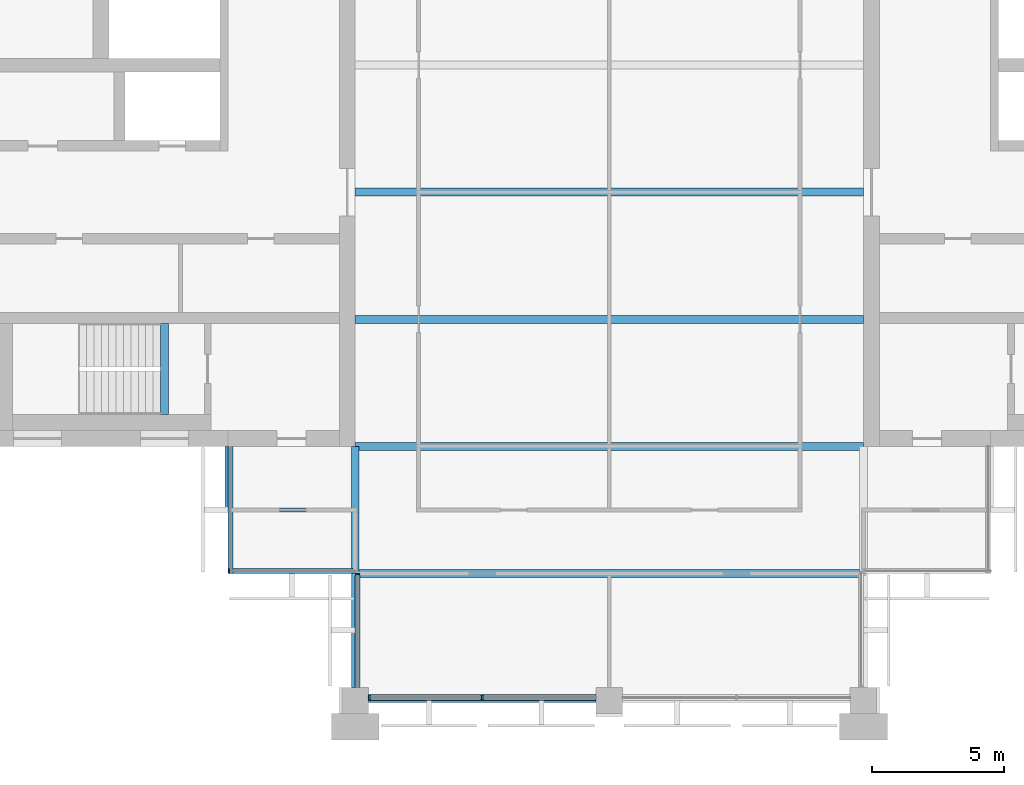
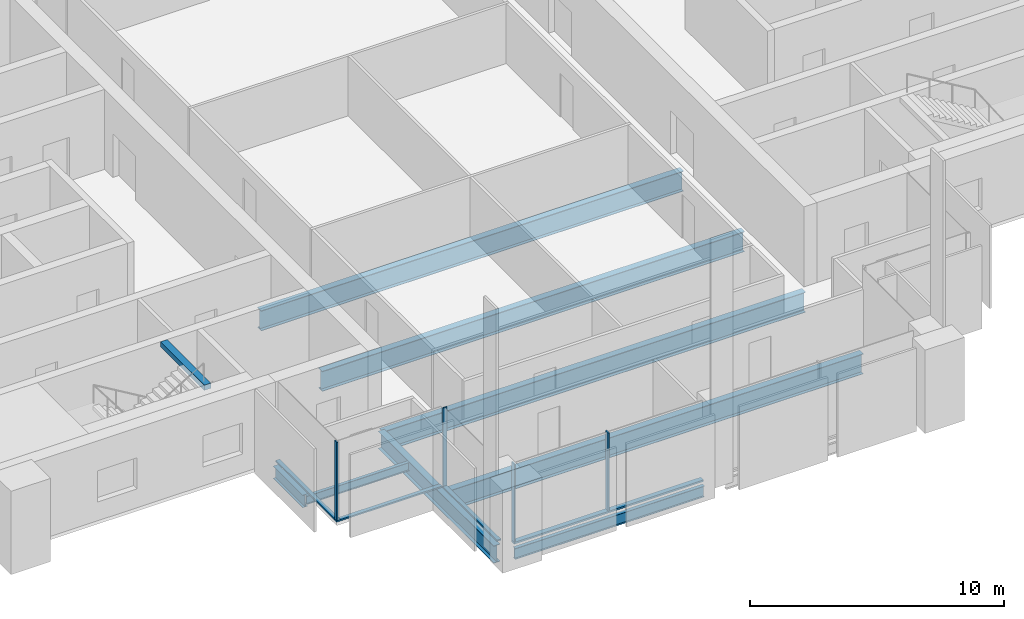
# One storey, part 2 of 13: 9 beams, 8 members, 4 elements without a shape of their own.
"""IFC4 building model written with IfcOpenShell, lengths in metres."""

from ifc_helpers import new_model, si_unit, direction, frame, origin, origin_2d, place, context, subcontext, project, spatial, rectangle, i_section, extrude, material, material_profile, profile_set, type_object, element, aggregate, save


model = new_model("IFC4")

# Units and contexts
model_context = context("Model", 3, precision=1e-05, world=origin(), true_north=direction((0.0, 1.0)))
body_context = subcontext(model_context, "Body", "Model", "MODEL_VIEW")
ifc_project = project(units=[si_unit("LENGTHUNIT", "METRE"), si_unit("AREAUNIT", "SQUARE_METRE"), si_unit("VOLUMEUNIT", "CUBIC_METRE"), si_unit("PLANEANGLEUNIT", "RADIAN"), si_unit("MASSUNIT", "GRAM", prefix="KILO")], contexts=[model_context])

# Site, building, storey
site_placement = place(None, origin())
site = spatial("IfcSite", under=ifc_project, at=site_placement, CompositionType="ELEMENT")
building_placement = place(site_placement, origin())
building = spatial("IfcBuilding", under=site, at=building_placement, Name="Baori Bourse Tower", CompositionType="ELEMENT")
storey_placement = place(building_placement, frame((0.0, 0.0, 294.300048828125)))
storey = spatial("IfcBuildingStorey", under=building, at=storey_placement, Name="L64", CompositionType="ELEMENT", Elevation=294.300048828125)

# Curtain wall, member
ifc_material_1 = material(Name="Pale anodised aluminium", Category="aluminium")
curtain_wall_type_1 = type_object("IfcCurtainWallType", Name="CW2 Curtain wall", PredefinedType="NOTDEFINED", material=ifc_material_1)
curtain_wall_1_placement = place(storey_placement, origin())
curtain_wall_1 = element("IfcCurtainWall", 1, at=curtain_wall_1_placement, inside=storey, type_object=curtain_wall_type_1, Name="Curtain wall CW2 L64 9", PredefinedType="NOTDEFINED")
ifc_material_2 = material(Name="Pale anodised aluminium", Category="aluminium")
ifc_material_profile_1 = material_profile(ifc_material_2, rectangle(XDim=0.179931640625, YDim=0.054931640625, at=origin_2d()), Name="Mullion 55x180")
ifc_profile_set_1 = profile_set([ifc_material_profile_1], Name="Pale anodised aluminium")
member_type_1 = type_object("IfcMemberType", Name="CW2 Curtain wall mullion", PredefinedType="MULLION", material=ifc_profile_set_1)
member_1_placement = place(storey_placement, frame((14.427490234375, 4.889892578125, 0.070068359375), z_axis=(0.0, 0.0, 1.0), x_axis=(0.0, 1.0, 0.0)))
member_1 = element("IfcMember", 2, at=member_1_placement, type_object=member_type_1, Name="Curtain wall CW2 mullion", PredefinedType="MULLION", context=body_context, shape_type="SweptSolid", body=[
    extrude(rectangle(XDim=0.179931640625, YDim=0.054931640625, at=origin_2d()), origin(), (0.0, 0.0, 1.0), 3.769775390625),
])

curtain_wall_2_placement = place(storey_placement, origin())
curtain_wall_2 = element("IfcCurtainWall", 3, at=curtain_wall_2_placement, inside=storey, type_object=curtain_wall_type_1, Name="Curtain wall CW2 L64 10", PredefinedType="NOTDEFINED")
member_2_placement = place(storey_placement, frame((19.2900390625, 4.7724609375, 0.070068359375), z_axis=(0.0, 0.0, 1.0), x_axis=(1.0, 0.0, 0.0)))
member_2 = element("IfcMember", 4, at=member_2_placement, type_object=member_type_1, Name="Curtain wall CW2 mullion", PredefinedType="MULLION", context=body_context, shape_type="SweptSolid", body=[
    extrude(rectangle(XDim=0.179931640625, YDim=0.054931640625, at=origin_2d()), origin(), (0.0, 0.0, 1.0), 3.769775390625),
])

curtain_wall_3_placement = place(storey_placement, origin())
curtain_wall_3 = element("IfcCurtainWall", 5, at=curtain_wall_3_placement, inside=storey, type_object=curtain_wall_type_1, Name="Curtain wall CW2 L64 8", PredefinedType="NOTDEFINED")
ifc_material_3 = material(Name="Pale anodised aluminium", Category="aluminium")
ifc_material_profile_2 = material_profile(ifc_material_3, rectangle(XDim=0.179931640625, YDim=0.070068359375, at=origin_2d()), Name="Transom 70x180")
ifc_profile_set_2 = profile_set([ifc_material_profile_2], Name="Pale anodised aluminium")
member_type_2 = type_object("IfcMemberType", Name="CW2 Curtain wall transom", PredefinedType="USERDEFINED", material=ifc_profile_set_2)
member_3_placement = place(storey_placement, frame((14.489990234375, 9.60009765625, 0.034912109375), z_axis=(0.0, -1.0, 0.0), x_axis=(1.0, 0.0, 0.0)))
member_3 = element("IfcMember", 6, at=member_3_placement, type_object=member_type_2, Name="Curtain wall CW2 sill rail", ObjectType="TRANSOM", PredefinedType="USERDEFINED", context=body_context, shape_type="SweptSolid", body=[
    extrude(rectangle(XDim=0.179931640625, YDim=0.070068359375, at=origin_2d()), origin(), (0.0, 0.0, 1.0), 4.800048828125),
])
aggregate(curtain_wall_3, [member_3])

# Member
member_4_placement = place(storey_placement, frame((14.39990234375, 4.889892578125, 0.034912109375), z_axis=(1.0, 0.0, 0.0), x_axis=(0.0, 1.0, 0.0)))
member_4 = element("IfcMember", 7, at=member_4_placement, type_object=member_type_2, Name="Curtain wall CW2 sill rail", ObjectType="TRANSOM", PredefinedType="USERDEFINED", context=body_context, shape_type="SweptSolid", body=[
    extrude(rectangle(XDim=0.179931640625, YDim=0.070068359375, at=origin_2d()), origin(), (0.0, 0.0, 1.0), 4.800048828125),
])

aggregate(curtain_wall_1, [member_4, member_1])

member_5_placement = place(storey_placement, frame((19.2900390625, 4.800048828125, 0.034912109375), z_axis=(0.0, -1.0, 0.0), x_axis=(1.0, 0.0, 0.0)))
member_5 = element("IfcMember", 8, at=member_5_placement, type_object=member_type_2, Name="Curtain wall CW2 sill rail", ObjectType="TRANSOM", PredefinedType="USERDEFINED", context=body_context, shape_type="SweptSolid", body=[
    extrude(rectangle(XDim=0.179931640625, YDim=0.070068359375, at=origin_2d()), origin(), (0.0, 0.0, 1.0), 4.300048828125),
])

aggregate(curtain_wall_2, [member_5, member_2])

# Curtain wall, members
ifc_material_4 = material(Name="Pale anodised aluminium", Category="aluminium")
curtain_wall_type_2 = type_object("IfcCurtainWallType", Name="CW5 Curtain wall", PredefinedType="NOTDEFINED", material=ifc_material_4)
curtain_wall_4_placement = place(storey_placement, origin())
curtain_wall_4 = element("IfcCurtainWall", 9, at=curtain_wall_4_placement, inside=storey, type_object=curtain_wall_type_2, Name="Curtain wall CW5 L64 11", PredefinedType="NOTDEFINED")
ifc_material_5 = material(Name="Pale anodised aluminium", Category="aluminium")
ifc_material_profile_3 = material_profile(ifc_material_5, rectangle(XDim=0.219970703125, YDim=0.06494140625, at=origin_2d()), Name="Mullion 65x220")
ifc_profile_set_3 = profile_set([ifc_material_profile_3], Name="Pale anodised aluminium")
member_type_3 = type_object("IfcMemberType", Name="CW5 Curtain wall mullion", PredefinedType="MULLION", material=ifc_profile_set_3)
member_6_placement = place(storey_placement, frame((19.732421875, 0.110107421875, 0.0849609375), z_axis=(0.0, 0.0, 1.0), x_axis=(0.0, 1.0, 0.0)))
member_6 = element("IfcMember", 10, at=member_6_placement, type_object=member_type_3, Name="Curtain wall CW5 mullion", PredefinedType="MULLION", context=body_context, shape_type="SweptSolid", body=[
    extrude(rectangle(XDim=0.219970703125, YDim=0.06494140625, at=origin_2d()), origin(), (0.0, 0.0, 1.0), 3.7548828125),
])
member_7_placement = place(storey_placement, frame((24.0, 0.110107421875, 0.0849609375), z_axis=(0.0, 0.0, 1.0), x_axis=(0.0, 1.0, 0.0)))
member_7 = element("IfcMember", 11, at=member_7_placement, type_object=member_type_3, Name="Curtain wall CW5 mullion", PredefinedType="MULLION", context=body_context, shape_type="SweptSolid", body=[
    extrude(rectangle(XDim=0.219970703125, YDim=0.06494140625, at=origin_2d()), origin(), (0.0, 0.0, 1.0), 3.7548828125),
])
ifc_material_6 = material(Name="Pale anodised aluminium", Category="aluminium")
ifc_material_profile_4 = material_profile(ifc_material_6, rectangle(XDim=0.219970703125, YDim=0.0849609375, at=origin_2d()), Name="Transom 85x220")
ifc_profile_set_4 = profile_set([ifc_material_profile_4], Name="Pale anodised aluminium")
member_type_4 = type_object("IfcMemberType", Name="CW5 Curtain wall transom", PredefinedType="USERDEFINED", material=ifc_profile_set_4)
member_8_placement = place(storey_placement, frame((19.699951171875, 0.110107421875, 0.04248046875), z_axis=(1.0, 0.0, 0.0), x_axis=(0.0, 1.0, 0.0)))
member_8 = element("IfcMember", 12, at=member_8_placement, type_object=member_type_4, Name="Curtain wall CW5 sill rail", ObjectType="TRANSOM", PredefinedType="USERDEFINED", context=body_context, shape_type="SweptSolid", body=[
    extrude(rectangle(XDim=0.219970703125, YDim=0.0849609375, at=origin_2d()), origin(), (0.0, 0.0, 1.0), 8.60009765625),
])
aggregate(curtain_wall_4, [member_8, member_6, member_7])

# Beams
ifc_material_7 = material(Name="Steel A992 Gr 50", Category="steel")
ifc_material_profile_5 = material_profile(ifc_material_7, i_section(OverallWidth=0.227783203125, OverallDepth=0.60205078125, WebThickness=0.010498046875, FlangeThickness=0.014892578125, at=origin_2d()), Name="W24x68")
ifc_profile_set_5 = profile_set([ifc_material_profile_5], Name="Steel A992 Gr 50")
beam_type_1 = type_object("IfcBeamType", Name="Core bracket W24x68", PredefinedType="BEAM", material=ifc_profile_set_5)
beam_1_placement = place(storey_placement, frame((14.39990234375, 7.270263671875, -0.4609375), z_axis=(0.0, 1.0, 0.0), x_axis=(-1.0, 0.0, 0.0)))
element("IfcBeam", 13, at=beam_1_placement, inside=storey, type_object=beam_type_1, Name="Core bracket L64", PredefinedType="BEAM", context=body_context, shape_type="SweptSolid", body=[
    extrude(i_section(OverallWidth=0.227783203125, OverallDepth=0.60205078125, WebThickness=0.010498046875, FlangeThickness=0.014892578125, at=origin_2d()), origin(), (0.0, 0.0, 1.0), 2.329833984375),
])
ifc_material_8 = material(Name="Steel A992 Gr 50", Category="steel")
ifc_material_profile_6 = material_profile(ifc_material_8, i_section(OverallWidth=0.1650390625, OverallDepth=0.52587890625, WebThickness=0.0087890625, FlangeThickness=0.011474609375, at=origin_2d()), Name="W21x44")
ifc_profile_set_6 = profile_set([ifc_material_profile_6], Name="Steel A992 Gr 50")
beam_type_2 = type_object("IfcBeamType", Name="Edge beam W21x44", PredefinedType="BEAM", material=ifc_profile_set_6)
beam_2_placement = place(storey_placement, frame((19.699951171875, 0.0, -0.4228515625), z_axis=(1.0, 0.0, 0.0), x_axis=(0.0, 1.0, 0.0)))
element("IfcBeam", 14, at=beam_2_placement, inside=storey, type_object=beam_type_2, Name="Edge beam L64", PredefinedType="BEAM", context=body_context, shape_type="SweptSolid", body=[
    extrude(i_section(OverallWidth=0.1650390625, OverallDepth=0.52587890625, WebThickness=0.0087890625, FlangeThickness=0.011474609375, at=origin_2d()), origin(), (0.0, 0.0, 1.0), 8.60009765625),
])
ifc_material_9 = material(Name="Steel A992 Gr 50", Category="steel")
ifc_material_profile_7 = material_profile(ifc_material_9, i_section(OverallWidth=0.2998046875, OverallDepth=0.97021484375, WebThickness=0.01611328125, FlangeThickness=0.02099609375, at=origin_2d()), Name="W40x149")
ifc_profile_set_7 = profile_set([ifc_material_profile_7], Name="Steel A992 Gr 50")
beam_type_3 = type_object("IfcBeamType", Name="Floor beam W40x149", PredefinedType="BEAM", material=ifc_profile_set_7)
beam_3_placement = place(storey_placement, frame((19.345947265625, 4.800048828125, -0.645263671875), z_axis=(1.0, 0.0, 0.0), x_axis=(0.0, 1.0, 0.0)))
element("IfcBeam", 15, at=beam_3_placement, inside=storey, type_object=beam_type_3, Name="Floor beam L64", PredefinedType="BEAM", context=body_context, shape_type="SweptSolid", body=[
    extrude(i_section(OverallWidth=0.2998046875, OverallDepth=0.97021484375, WebThickness=0.01611328125, FlangeThickness=0.02099609375, at=origin_2d()), origin(), (0.0, 0.0, 1.0), 18.907958984375),
])
for number, where, z_axis, x_axis, name in (
    (16, (19.199951171875, 9.60009765625, -0.645263671875), (1.0, 0.0, 0.0), (0.0, 1.0, 0.0), "Floor beam L64"),
    (17, (19.199951171875, 14.39990234375, -0.645263671875), (1.0, 0.0, 0.0), (0.0, 1.0, 0.0), "Floor beam L64"),
    (18, (19.199951171875, 19.199951171875, -0.645263671875), (1.0, 0.0, 0.0), (0.0, 1.0, 0.0), "Floor beam L64"),
):
    element("IfcBeam", number, at=place(storey_placement, frame(where, z_axis=z_axis, x_axis=x_axis)), inside=storey, type_object=beam_type_3, Name=name, PredefinedType="BEAM", context=body_context, shape_type="SweptSolid", body=[
        extrude(i_section(OverallWidth=0.2998046875, OverallDepth=0.97021484375, WebThickness=0.01611328125, FlangeThickness=0.02099609375, at=origin_2d()), origin(), (0.0, 0.0, 1.0), 19.199951171875),
    ])
ifc_material_10 = material(Name="Steel A992 Gr 50", Category="steel")
ifc_material_profile_8 = material_profile(ifc_material_10, i_section(OverallWidth=0.2919921875, OverallDepth=0.835693359375, WebThickness=0.013916015625, FlangeThickness=0.018798828125, at=origin_2d()), Name="W33x118")
ifc_profile_set_8 = profile_set([ifc_material_profile_8], Name="Steel A992 Gr 50")
beam_type_4 = type_object("IfcBeamType", Name="Girder W33x118", PredefinedType="BEAM", material=ifc_profile_set_8)
beam_4_placement = place(storey_placement, frame((19.199951171875, 0.5, -0.577880859375), z_axis=(0.0, 1.0, 0.0), x_axis=(-1.0, 0.0, 0.0)))
element("IfcBeam", 19, at=beam_4_placement, inside=storey, type_object=beam_type_4, Name="Girder L64", PredefinedType="BEAM", context=body_context, shape_type="SweptSolid", body=[
    extrude(i_section(OverallWidth=0.2919921875, OverallDepth=0.835693359375, WebThickness=0.013916015625, FlangeThickness=0.018798828125, at=origin_2d()), origin(), (0.0, 0.0, 1.0), 9.10009765625),
])
ifc_material_11 = material(Name="Concrete f'c 50 MPa", Category="concrete")
ifc_material_profile_9 = material_profile(ifc_material_11, rectangle(XDim=0.300048828125, YDim=0.25, at=origin_2d()), Name="RC 300x250")
ifc_profile_set_9 = profile_set([ifc_material_profile_9], Name="Concrete f'c 50 MPa")
beam_type_5 = type_object("IfcBeamType", Name="Stair nib beam RC 300x250", PredefinedType="BEAM", material=ifc_profile_set_9)
beam_5_placement = place(storey_placement, frame((12.0, 10.800048828125, 3.71484375), z_axis=(0.0, 1.0, 0.0), x_axis=(-1.0, 0.0, 0.0)))
element("IfcBeam", 20, at=beam_5_placement, inside=storey, type_object=beam_type_5, Name="Stair WA nib beam L65", PredefinedType="BEAM", context=body_context, shape_type="SweptSolid", body=[
    extrude(rectangle(XDim=0.300048828125, YDim=0.25, at=origin_2d()), origin(), (0.0, 0.0, 1.0), 3.449951171875),
])
ifc_material_12 = material(Name="Steel A992 Gr 50", Category="steel")
ifc_material_profile_10 = material_profile(ifc_material_12, i_section(OverallWidth=0.140380859375, OverallDepth=0.40380859375, WebThickness=0.007080078125, FlangeThickness=0.01123046875, at=origin_2d()), Name="W16x31")
ifc_profile_set_10 = profile_set([ifc_material_profile_10], Name="Steel A992 Gr 50")
beam_type_6 = type_object("IfcBeamType", Name="Trimmer beam W16x31", PredefinedType="BEAM", material=ifc_profile_set_10)
beam_6_placement = place(storey_placement, frame((14.39990234375, 7.199951171875, -0.362060546875), z_axis=(1.0, 0.0, 0.0), x_axis=(0.0, 1.0, 0.0)))
element("IfcBeam", 21, at=beam_6_placement, inside=storey, type_object=beam_type_6, Name="Trimmer beam L64", PredefinedType="BEAM", context=body_context, shape_type="SweptSolid", body=[
    extrude(i_section(OverallWidth=0.140380859375, OverallDepth=0.40380859375, WebThickness=0.007080078125, FlangeThickness=0.01123046875, at=origin_2d()), origin(), (0.0, 0.0, 1.0), 4.654052734375),
])

save(model, "model.ifc")
